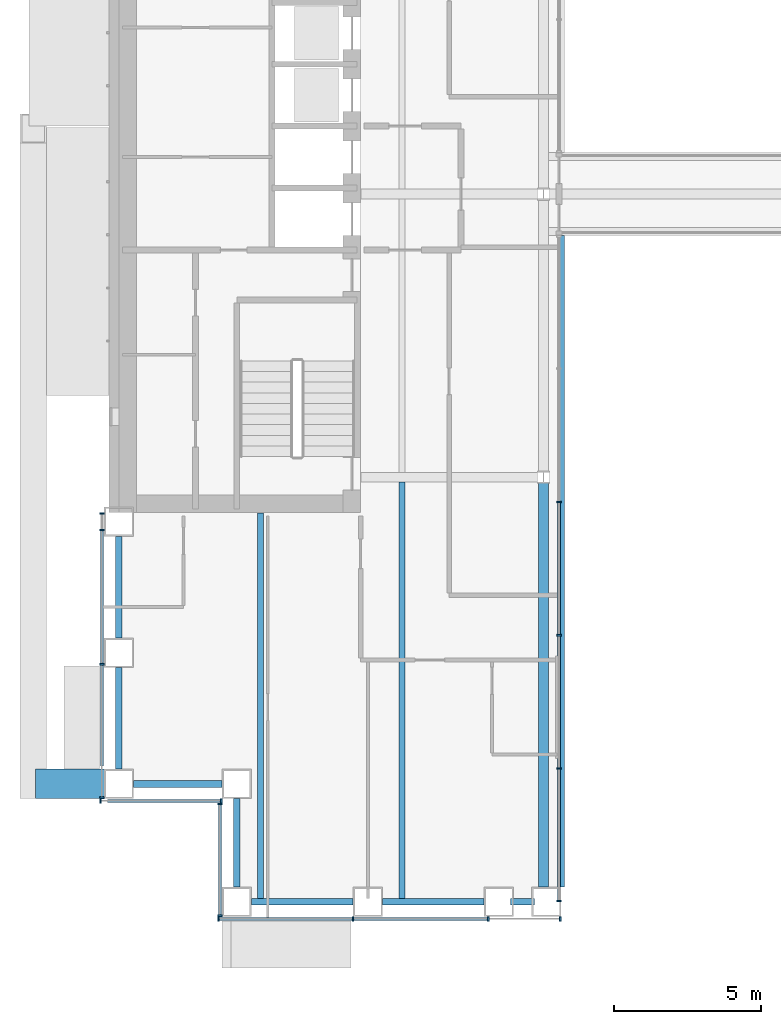
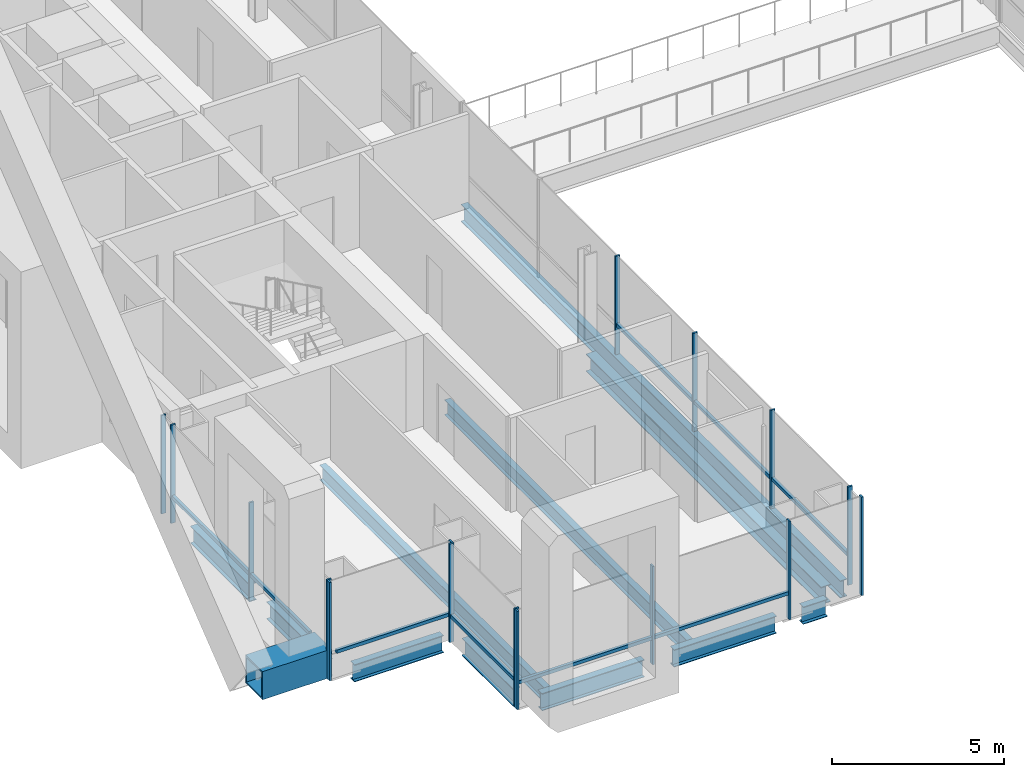
# One storey, part 2 of 26: 25 members, 12 beams, 5 elements without a shape of their own.
"""IFC4 building model written with IfcOpenShell, lengths in metres."""

from ifc_helpers import new_model, si_unit, direction, frame, origin, origin_2d, place, context, subcontext, project, spatial, rectangle, hollow_rectangle, i_section, extrude, material, material_profile, profile_set, type_object, element, aggregate, save


model = new_model("IFC4")

# Units and contexts
model_context = context("Model", 3, precision=1e-05, world=origin(), true_north=direction((0.0, 1.0)))
body_context = subcontext(model_context, "Body", "Model", "MODEL_VIEW")
ifc_project = project(units=[si_unit("LENGTHUNIT", "METRE"), si_unit("AREAUNIT", "SQUARE_METRE"), si_unit("VOLUMEUNIT", "CUBIC_METRE"), si_unit("PLANEANGLEUNIT", "RADIAN"), si_unit("MASSUNIT", "GRAM", prefix="KILO")], contexts=[model_context])

# Site, building, storey
site_placement = place(None, origin())
site = spatial("IfcSite", under=ifc_project, at=site_placement, CompositionType="ELEMENT")
building_placement = place(site_placement, origin())
building = spatial("IfcBuilding", under=site, at=building_placement, Name="Cobrizo Arcos Hotel Tower", CompositionType="ELEMENT")
storey_placement = place(building_placement, frame((0.0, 0.0, 67.0)))
storey = spatial("IfcBuildingStorey", under=building, at=storey_placement, Name="L15", CompositionType="ELEMENT", Elevation=67.0)

# Beam
ifc_material_1 = material(Name="Steel ASTM A572 Grade 50", Category="steel")
ifc_material_profile_1 = material_profile(ifc_material_1, hollow_rectangle(XDim=1.0, YDim=1.0, WallThickness=0.06005859375, at=origin_2d()), Name="BOX 1000X1000X60")
ifc_profile_set_1 = profile_set([ifc_material_profile_1], Name="Steel ASTM A572 Grade 50")
beam_type_1 = type_object("IfcBeamType", Name="BOX 1000X1000X60 brace connector strut", PredefinedType="BEAM", material=ifc_profile_set_1)
beam_1_placement = place(storey_placement, frame((-24.489990234375, -20.0, 0.5), z_axis=(-1.0, 0.0, 0.0), x_axis=(0.0, -1.0, 0.0)))
element("IfcBeam", 1, at=beam_1_placement, inside=storey, type_object=beam_type_1, Name="Perimeter brace stub BS1, zone Z1, west face, offset -20.00 m, L15", PredefinedType="BEAM", context=body_context, shape_type="SweptSolid", body=[
    extrude(hollow_rectangle(XDim=1.0, YDim=1.0, WallThickness=0.06005859375, at=origin_2d()), origin(), (0.0, 0.0, 1.0), 2.330078125),
])

# Curtain wall, members
ifc_material_2 = material(Name="Aluminium 6063-T6 anodised bronze", Category="aluminium")
curtain_wall_type_1 = type_object("IfcCurtainWallType", Name="CW-A guest facade", PredefinedType="NOTDEFINED", material=ifc_material_2)
curtain_wall_1_placement = place(storey_placement, origin())
curtain_wall_1 = element("IfcCurtainWall", 2, at=curtain_wall_1_placement, inside=storey, type_object=curtain_wall_type_1, Name="CW-A L15 S face", PredefinedType="NOTDEFINED")
ifc_material_profile_2 = material_profile(ifc_material_2, rectangle(XDim=0.14990234375, YDim=0.06005859375, at=origin_2d()), Name="CW-A mullion 150x60")
ifc_profile_set_2 = profile_set([ifc_material_profile_2], Name="Aluminium 6063-T6 anodised bronze")
member_type_1 = type_object("IfcMemberType", Name="CW-A mullion 150x60", PredefinedType="MULLION", material=ifc_profile_set_2)
member_1_placement = place(storey_placement, frame((-20.6201171875, -24.574951171875, 0.0), z_axis=(0.0, 0.0, 1.0), x_axis=(0.0, -1.0, 0.0)))
member_1 = element("IfcMember", 3, at=member_1_placement, type_object=member_type_1, Name="CW-A mullion 1", PredefinedType="MULLION", context=body_context, shape_type="SweptSolid", body=[
    extrude(rectangle(XDim=0.14990234375, YDim=0.06005859375, at=origin_2d()), origin(), (0.0, 0.0, 1.0), 3.5),
])
member_2_placement = place(storey_placement, frame((-16.06103515625, -24.574951171875, 0.0), z_axis=(0.0, 0.0, 1.0), x_axis=(0.0, -1.0, 0.0)))
member_2 = element("IfcMember", 4, at=member_2_placement, type_object=member_type_1, Name="CW-A mullion 2", PredefinedType="MULLION", context=body_context, shape_type="SweptSolid", body=[
    extrude(rectangle(XDim=0.14990234375, YDim=0.06005859375, at=origin_2d()), origin(), (0.0, 0.0, 1.0), 3.5),
])
member_3_placement = place(storey_placement, frame((-11.47216796875, -24.574951171875, 0.0), z_axis=(0.0, 0.0, 1.0), x_axis=(0.0, -1.0, 0.0)))
member_3 = element("IfcMember", 5, at=member_3_placement, type_object=member_type_1, Name="CW-A mullion 3", PredefinedType="MULLION", context=body_context, shape_type="SweptSolid", body=[
    extrude(rectangle(XDim=0.14990234375, YDim=0.06005859375, at=origin_2d()), origin(), (0.0, 0.0, 1.0), 3.5),
])
member_4_placement = place(storey_placement, frame((-9.030029296875, -24.574951171875, 0.0), z_axis=(0.0, 0.0, 1.0), x_axis=(0.0, -1.0, 0.0)))
member_4 = element("IfcMember", 6, at=member_4_placement, type_object=member_type_1, Name="CW-A mullion 4", PredefinedType="MULLION", context=body_context, shape_type="SweptSolid", body=[
    extrude(rectangle(XDim=0.14990234375, YDim=0.06005859375, at=origin_2d()), origin(), (0.0, 0.0, 1.0), 3.5),
])

curtain_wall_2_placement = place(storey_placement, origin())
curtain_wall_2 = element("IfcCurtainWall", 7, at=curtain_wall_2_placement, inside=storey, type_object=curtain_wall_type_1, Name="CW-A L15 W face", PredefinedType="NOTDEFINED")
member_5_placement = place(storey_placement, frame((-24.574951171875, -10.830078125, 0.0), z_axis=(0.0, 0.0, 1.0), x_axis=(-1.0, 0.0, 0.0)))
member_5 = element("IfcMember", 8, at=member_5_placement, type_object=member_type_1, Name="CW-A mullion 1", PredefinedType="MULLION", context=body_context, shape_type="SweptSolid", body=[
    extrude(rectangle(XDim=0.14990234375, YDim=0.06005859375, at=origin_2d()), origin(), (0.0, 0.0, 1.0), 3.5),
])
member_6_placement = place(storey_placement, frame((-24.574951171875, -11.388916015625, 0.0), z_axis=(0.0, 0.0, 1.0), x_axis=(-1.0, 0.0, 0.0)))
member_6 = element("IfcMember", 9, at=member_6_placement, type_object=member_type_1, Name="CW-A mullion 2", PredefinedType="MULLION", context=body_context, shape_type="SweptSolid", body=[
    extrude(rectangle(XDim=0.14990234375, YDim=0.06005859375, at=origin_2d()), origin(), (0.0, 0.0, 1.0), 3.5),
])
member_7_placement = place(storey_placement, frame((-24.574951171875, -15.9443359375, 0.0), z_axis=(0.0, 0.0, 1.0), x_axis=(-1.0, 0.0, 0.0)))
member_7 = element("IfcMember", 10, at=member_7_placement, type_object=member_type_1, Name="CW-A mullion 3", PredefinedType="MULLION", context=body_context, shape_type="SweptSolid", body=[
    extrude(rectangle(XDim=0.14990234375, YDim=0.06005859375, at=origin_2d()), origin(), (0.0, 0.0, 1.0), 3.5),
])
member_8_placement = place(storey_placement, frame((-24.574951171875, -20.469970703125, 0.0), z_axis=(0.0, 0.0, 1.0), x_axis=(-1.0, 0.0, 0.0)))
member_8 = element("IfcMember", 11, at=member_8_placement, type_object=member_type_1, Name="CW-A mullion 4", PredefinedType="MULLION", context=body_context, shape_type="SweptSolid", body=[
    extrude(rectangle(XDim=0.14990234375, YDim=0.06005859375, at=origin_2d()), origin(), (0.0, 0.0, 1.0), 3.5),
])

curtain_wall_3_placement = place(storey_placement, origin())
curtain_wall_3 = element("IfcCurtainWall", 12, at=curtain_wall_3_placement, inside=storey, type_object=curtain_wall_type_1, Name="CW-A L15 S face", PredefinedType="NOTDEFINED")
member_9_placement = place(storey_placement, frame((-24.6201171875, -20.574951171875, 0.0), z_axis=(0.0, 0.0, 1.0), x_axis=(0.0, -1.0, 0.0)))
member_9 = element("IfcMember", 13, at=member_9_placement, type_object=member_type_1, Name="CW-A mullion 1", PredefinedType="MULLION", context=body_context, shape_type="SweptSolid", body=[
    extrude(rectangle(XDim=0.14990234375, YDim=0.06005859375, at=origin_2d()), origin(), (0.0, 0.0, 1.0), 3.5),
])
member_10_placement = place(storey_placement, frame((-20.530029296875, -20.574951171875, 0.0), z_axis=(0.0, 0.0, 1.0), x_axis=(0.0, -1.0, 0.0)))
member_10 = element("IfcMember", 14, at=member_10_placement, type_object=member_type_1, Name="CW-A mullion 2", PredefinedType="MULLION", context=body_context, shape_type="SweptSolid", body=[
    extrude(rectangle(XDim=0.14990234375, YDim=0.06005859375, at=origin_2d()), origin(), (0.0, 0.0, 1.0), 3.5),
])

curtain_wall_4_placement = place(storey_placement, origin())
curtain_wall_4 = element("IfcCurtainWall", 15, at=curtain_wall_4_placement, inside=storey, type_object=curtain_wall_type_1, Name="CW-A L15 W face", PredefinedType="NOTDEFINED")
member_11_placement = place(storey_placement, frame((-20.574951171875, -20.679931640625, 0.0), z_axis=(0.0, 0.0, 1.0), x_axis=(-1.0, 0.0, 0.0)))
member_11 = element("IfcMember", 16, at=member_11_placement, type_object=member_type_1, Name="CW-A mullion 1", PredefinedType="MULLION", context=body_context, shape_type="SweptSolid", body=[
    extrude(rectangle(XDim=0.14990234375, YDim=0.06005859375, at=origin_2d()), origin(), (0.0, 0.0, 1.0), 3.5),
])
member_12_placement = place(storey_placement, frame((-20.574951171875, -24.469970703125, 0.0), z_axis=(0.0, 0.0, 1.0), x_axis=(-1.0, 0.0, 0.0)))
member_12 = element("IfcMember", 17, at=member_12_placement, type_object=member_type_1, Name="CW-A mullion 2", PredefinedType="MULLION", context=body_context, shape_type="SweptSolid", body=[
    extrude(rectangle(XDim=0.14990234375, YDim=0.06005859375, at=origin_2d()), origin(), (0.0, 0.0, 1.0), 3.5),
])

# Member
ifc_material_profile_3 = material_profile(ifc_material_2, rectangle(XDim=0.10009765625, YDim=0.1201171875, at=origin_2d()), Name="CW-A transom 120x100")
ifc_profile_set_3 = profile_set([ifc_material_profile_3], Name="Aluminium 6063-T6 anodised bronze")
member_type_2 = type_object("IfcMemberType", Name="CW-A transom 120x100", PredefinedType="USERDEFINED", material=ifc_profile_set_3)
member_13_placement = place(storey_placement, frame((-20.590087890625, -24.574951171875, 0.929931640625), z_axis=(1.0, 0.0, 0.0), x_axis=(0.0, 1.0, 0.0)))
member_13 = element("IfcMember", 18, at=member_13_placement, type_object=member_type_2, Name="CW-A transom 653", ObjectType="TRANSOM", PredefinedType="USERDEFINED", context=body_context, shape_type="SweptSolid", body=[
    extrude(rectangle(XDim=0.10009765625, YDim=0.1201171875, at=origin_2d()), origin(), (0.0, 0.0, 1.0), 4.4990234375),
])

member_14_placement = place(storey_placement, frame((-16.031005859375, -24.574951171875, 0.929931640625), z_axis=(1.0, 0.0, 0.0), x_axis=(0.0, 1.0, 0.0)))
member_14 = element("IfcMember", 19, at=member_14_placement, type_object=member_type_2, Name="CW-A transom 654", ObjectType="TRANSOM", PredefinedType="USERDEFINED", context=body_context, shape_type="SweptSolid", body=[
    extrude(rectangle(XDim=0.10009765625, YDim=0.1201171875, at=origin_2d()), origin(), (0.0, 0.0, 1.0), 4.52880859375),
])

aggregate(curtain_wall_1, [member_1, member_2, member_3, member_4, member_13, member_14])

member_15_placement = place(storey_placement, frame((-24.574951171875, -11.4189453125, 0.929931640625), z_axis=(0.0, -1.0, 0.0), x_axis=(1.0, 0.0, 0.0)))
member_15 = element("IfcMember", 20, at=member_15_placement, type_object=member_type_2, Name="CW-A transom 681", ObjectType="TRANSOM", PredefinedType="USERDEFINED", context=body_context, shape_type="SweptSolid", body=[
    extrude(rectangle(XDim=0.10009765625, YDim=0.1201171875, at=origin_2d()), origin(), (0.0, 0.0, 1.0), 4.49560546875),
])

member_16_placement = place(storey_placement, frame((-24.574951171875, -15.974365234375, 0.929931640625), z_axis=(0.0, -1.0, 0.0), x_axis=(1.0, 0.0, 0.0)))
member_16 = element("IfcMember", 21, at=member_16_placement, type_object=member_type_2, Name="CW-A transom 682", ObjectType="TRANSOM", PredefinedType="USERDEFINED", context=body_context, shape_type="SweptSolid", body=[
    extrude(rectangle(XDim=0.10009765625, YDim=0.1201171875, at=origin_2d()), origin(), (0.0, 0.0, 1.0), 3.425537109375),
])

aggregate(curtain_wall_2, [member_5, member_6, member_7, member_8, member_15, member_16])

member_17_placement = place(storey_placement, frame((-24.389892578125, -20.574951171875, 0.929931640625), z_axis=(1.0, 0.0, 0.0), x_axis=(0.0, 1.0, 0.0)))
member_17 = element("IfcMember", 22, at=member_17_placement, type_object=member_type_2, Name="CW-A transom 683", ObjectType="TRANSOM", PredefinedType="USERDEFINED", context=body_context, shape_type="SweptSolid", body=[
    extrude(rectangle(XDim=0.10009765625, YDim=0.1201171875, at=origin_2d()), origin(), (0.0, 0.0, 1.0), 3.829833984375),
])

aggregate(curtain_wall_3, [member_9, member_10, member_17])

member_18_placement = place(storey_placement, frame((-20.574951171875, -20.7099609375, 0.929931640625), z_axis=(0.0, -1.0, 0.0), x_axis=(1.0, 0.0, 0.0)))
member_18 = element("IfcMember", 23, at=member_18_placement, type_object=member_type_2, Name="CW-A transom 684", ObjectType="TRANSOM", PredefinedType="USERDEFINED", context=body_context, shape_type="SweptSolid", body=[
    extrude(rectangle(XDim=0.10009765625, YDim=0.1201171875, at=origin_2d()), origin(), (0.0, 0.0, 1.0), 3.72998046875),
])

aggregate(curtain_wall_4, [member_11, member_12, member_18])

# Curtain wall, members
curtain_wall_type_2 = type_object("IfcCurtainWallType", Name="CW-F void screen", PredefinedType="NOTDEFINED", material=ifc_material_2)
curtain_wall_5_placement = place(storey_placement, origin())
curtain_wall_5 = element("IfcCurtainWall", 24, at=curtain_wall_5_placement, inside=storey, type_object=curtain_wall_type_2, Name="CW-F L15 void screen A", PredefinedType="NOTDEFINED")
ifc_material_profile_4 = material_profile(ifc_material_2, rectangle(XDim=0.14990234375, YDim=0.06005859375, at=origin_2d()), Name="CW-F mullion 150x60")
ifc_profile_set_4 = profile_set([ifc_material_profile_4], Name="Aluminium 6063-T6 anodised bronze")
member_type_3 = type_object("IfcMemberType", Name="CW-F mullion 150x60", PredefinedType="MULLION", material=ifc_profile_set_4)
member_19_placement = place(storey_placement, frame((-9.074951171875, -10.43994140625, 0.0), z_axis=(0.0, 0.0, 1.0), x_axis=(-1.0, 0.0, 0.0)))
member_19 = element("IfcMember", 25, at=member_19_placement, type_object=member_type_3, Name="CW-F mullion 3", PredefinedType="MULLION", context=body_context, shape_type="SweptSolid", body=[
    extrude(rectangle(XDim=0.14990234375, YDim=0.06005859375, at=origin_2d()), origin(), (0.0, 0.0, 1.0), 3.5),
])
member_20_placement = place(storey_placement, frame((-9.074951171875, -14.9599609375, 0.0), z_axis=(0.0, 0.0, 1.0), x_axis=(-1.0, 0.0, 0.0)))
member_20 = element("IfcMember", 26, at=member_20_placement, type_object=member_type_3, Name="CW-F mullion 4", PredefinedType="MULLION", context=body_context, shape_type="SweptSolid", body=[
    extrude(rectangle(XDim=0.14990234375, YDim=0.06005859375, at=origin_2d()), origin(), (0.0, 0.0, 1.0), 3.5),
])
member_21_placement = place(storey_placement, frame((-9.074951171875, -19.47998046875, 0.0), z_axis=(0.0, 0.0, 1.0), x_axis=(-1.0, 0.0, 0.0)))
member_21 = element("IfcMember", 27, at=member_21_placement, type_object=member_type_3, Name="CW-F mullion 5", PredefinedType="MULLION", context=body_context, shape_type="SweptSolid", body=[
    extrude(rectangle(XDim=0.14990234375, YDim=0.06005859375, at=origin_2d()), origin(), (0.0, 0.0, 1.0), 3.5),
])
member_22_placement = place(storey_placement, frame((-9.074951171875, -23.969970703125, 0.0), z_axis=(0.0, 0.0, 1.0), x_axis=(-1.0, 0.0, 0.0)))
member_22 = element("IfcMember", 28, at=member_22_placement, type_object=member_type_3, Name="CW-F mullion 6", PredefinedType="MULLION", context=body_context, shape_type="SweptSolid", body=[
    extrude(rectangle(XDim=0.14990234375, YDim=0.06005859375, at=origin_2d()), origin(), (0.0, 0.0, 1.0), 3.5),
])
ifc_material_profile_5 = material_profile(ifc_material_2, rectangle(XDim=0.10009765625, YDim=0.1201171875, at=origin_2d()), Name="CW-F transom 120x100")
ifc_profile_set_5 = profile_set([ifc_material_profile_5], Name="Aluminium 6063-T6 anodised bronze")
member_type_4 = type_object("IfcMemberType", Name="CW-F transom 120x100", PredefinedType="USERDEFINED", material=ifc_profile_set_5)
member_23_placement = place(storey_placement, frame((-9.074951171875, -10.469970703125, 1.050048828125), z_axis=(0.0, -1.0, 0.0), x_axis=(1.0, 0.0, 0.0)))
member_23 = element("IfcMember", 29, at=member_23_placement, type_object=member_type_4, Name="CW-F transom 2485", ObjectType="TRANSOM", PredefinedType="USERDEFINED", context=body_context, shape_type="SweptSolid", body=[
    extrude(rectangle(XDim=0.10009765625, YDim=0.1201171875, at=origin_2d()), origin(), (0.0, 0.0, 1.0), 4.4599609375),
])
member_24_placement = place(storey_placement, frame((-9.074951171875, -14.989990234375, 1.050048828125), z_axis=(0.0, -1.0, 0.0), x_axis=(1.0, 0.0, 0.0)))
member_24 = element("IfcMember", 30, at=member_24_placement, type_object=member_type_4, Name="CW-F transom 2486", ObjectType="TRANSOM", PredefinedType="USERDEFINED", context=body_context, shape_type="SweptSolid", body=[
    extrude(rectangle(XDim=0.10009765625, YDim=0.1201171875, at=origin_2d()), origin(), (0.0, 0.0, 1.0), 4.4599609375),
])
member_25_placement = place(storey_placement, frame((-9.074951171875, -19.510009765625, 1.050048828125), z_axis=(0.0, -1.0, 0.0), x_axis=(1.0, 0.0, 0.0)))
member_25 = element("IfcMember", 31, at=member_25_placement, type_object=member_type_4, Name="CW-F transom 2487", ObjectType="TRANSOM", PredefinedType="USERDEFINED", context=body_context, shape_type="SweptSolid", body=[
    extrude(rectangle(XDim=0.10009765625, YDim=0.1201171875, at=origin_2d()), origin(), (0.0, 0.0, 1.0), 4.429931640625),
])
aggregate(curtain_wall_5, [member_19, member_20, member_21, member_22, member_23, member_24, member_25])

# Beams
ifc_material_3 = material(Name="Steel ASTM A992 Grade 50", Category="steel")
ifc_material_profile_6 = material_profile(ifc_material_3, i_section(OverallWidth=0.209228515625, OverallDepth=0.533447265625, WebThickness=0.01025390625, FlangeThickness=0.015625, at=origin_2d()), Name="W21X62")
ifc_profile_set_6 = profile_set([ifc_material_profile_6], Name="Steel ASTM A992 Grade 50")
beam_type_2 = type_object("IfcBeamType", Name="W21X62 joist", PredefinedType="JOIST", material=ifc_profile_set_6)
beam_2_placement = place(storey_placement, frame((-19.199951171875, -23.909912109375, -0.416748046875), z_axis=(0.0, 1.0, 0.0), x_axis=(-1.0, 0.0, 0.0)))
element("IfcBeam", 32, at=beam_2_placement, inside=storey, type_object=beam_type_2, Name="Floor joist J1, L15, no. 001", PredefinedType="JOIST", context=body_context, shape_type="SweptSolid", body=[
    extrude(i_section(OverallWidth=0.209228515625, OverallDepth=0.533447265625, WebThickness=0.01025390625, FlangeThickness=0.015625, at=origin_2d()), origin(), (0.0, 0.0, 1.0), 13.099853515625),
])
beam_3_placement = place(storey_placement, frame((-14.39990234375, -23.909912109375, -0.416748046875), z_axis=(0.0, 1.0, 0.0), x_axis=(-1.0, 0.0, 0.0)))
element("IfcBeam", 33, at=beam_3_placement, inside=storey, type_object=beam_type_2, Name="Floor joist J1, L15, no. 003", PredefinedType="JOIST", context=body_context, shape_type="SweptSolid", body=[
    extrude(i_section(OverallWidth=0.209228515625, OverallDepth=0.533447265625, WebThickness=0.01025390625, FlangeThickness=0.015625, at=origin_2d()), origin(), (0.0, 0.0, 1.0), 14.14599609375),
])
ifc_material_profile_7 = material_profile(ifc_material_3, i_section(OverallWidth=0.32763671875, OverallDepth=0.622314453125, WebThickness=0.015380859375, FlangeThickness=0.0244140625, at=origin_2d()), Name="W24X131")
ifc_profile_set_7 = profile_set([ifc_material_profile_7], Name="Steel ASTM A992 Grade 50")
beam_type_3 = type_object("IfcBeamType", Name="W24X131 girder", PredefinedType="BEAM", material=ifc_profile_set_7)
beam_4_placement = place(storey_placement, frame((-9.60009765625, -23.5, -0.461181640625), z_axis=(0.0, 1.0, 0.0), x_axis=(-1.0, 0.0, 0.0)))
element("IfcBeam", 34, at=beam_4_placement, inside=storey, type_object=beam_type_3, Name="Floor girder G1, L15, no. 008", PredefinedType="BEAM", context=body_context, shape_type="SweptSolid", body=[
    extrude(i_section(OverallWidth=0.32763671875, OverallDepth=0.622314453125, WebThickness=0.015380859375, FlangeThickness=0.0244140625, at=origin_2d()), origin(), (0.0, 0.0, 1.0), 13.695556640625),
])
ifc_material_profile_8 = material_profile(ifc_material_3, i_section(OverallWidth=0.23046875, OverallDepth=0.6171875, WebThickness=0.01318359375, FlangeThickness=0.022216796875, at=origin_2d()), Name="W24X94")
ifc_profile_set_8 = profile_set([ifc_material_profile_8], Name="Steel ASTM A992 Grade 50")
beam_type_4 = type_object("IfcBeamType", Name="W24X94 spandrel", PredefinedType="SPANDREL", material=ifc_profile_set_8)
beam_5_placement = place(storey_placement, frame((-9.0, -1.39990234375, -0.45849609375), z_axis=(0.0, -1.0, 0.0), x_axis=(1.0, 0.0, 0.0)))
element("IfcBeam", 35, at=beam_5_placement, inside=storey, type_object=beam_type_4, Name="Spandrel beam W24X94, L15, no. 012", PredefinedType="SPANDREL", context=body_context, shape_type="SweptSolid", body=[
    extrude(i_section(OverallWidth=0.23046875, OverallDepth=0.6171875, WebThickness=0.01318359375, FlangeThickness=0.022216796875, at=origin_2d()), origin(), (0.0, 0.0, 1.0), 22.10009765625),
])
beam_6_placement = place(storey_placement, frame((-9.89990234375, -24.0, -0.45849609375), z_axis=(-1.0, 0.0, 0.0), x_axis=(0.0, -1.0, 0.0)))
element("IfcBeam", 36, at=beam_6_placement, inside=storey, type_object=beam_type_4, Name="Spandrel beam W24X94, L15, no. 013", PredefinedType="SPANDREL", context=body_context, shape_type="SweptSolid", body=[
    extrude(i_section(OverallWidth=0.23046875, OverallDepth=0.6171875, WebThickness=0.01318359375, FlangeThickness=0.022216796875, at=origin_2d()), origin(), (0.0, 0.0, 1.0), 0.81103515625),
])
beam_7_placement = place(storey_placement, frame((-11.611083984375, -24.0, -0.45849609375), z_axis=(-1.0, 0.0, 0.0), x_axis=(0.0, -1.0, 0.0)))
element("IfcBeam", 37, at=beam_7_placement, inside=storey, type_object=beam_type_4, Name="Spandrel beam W24X94, L15, no. 014", PredefinedType="SPANDREL", context=body_context, shape_type="SweptSolid", body=[
    extrude(i_section(OverallWidth=0.23046875, OverallDepth=0.6171875, WebThickness=0.01318359375, FlangeThickness=0.022216796875, at=origin_2d()), origin(), (0.0, 0.0, 1.0), 3.44482421875),
])
beam_8_placement = place(storey_placement, frame((-16.055908203125, -24.0, -0.45849609375), z_axis=(-1.0, 0.0, 0.0), x_axis=(0.0, -1.0, 0.0)))
element("IfcBeam", 38, at=beam_8_placement, inside=storey, type_object=beam_type_4, Name="Spandrel beam W24X94, L15, no. 015", PredefinedType="SPANDREL", context=body_context, shape_type="SweptSolid", body=[
    extrude(i_section(OverallWidth=0.23046875, OverallDepth=0.6171875, WebThickness=0.01318359375, FlangeThickness=0.022216796875, at=origin_2d()), origin(), (0.0, 0.0, 1.0), 3.444091796875),
])
for number, where, z_axis, x_axis, name in (
    (39, (-20.0, -23.5, -0.45849609375), (0.0, 1.0, 0.0), (-1.0, 0.0, 0.0), "Spandrel beam W24X94, L15, no. 016"),
    (40, (-20.5, -20.0, -0.45849609375), (-1.0, 0.0, 0.0), (0.0, -1.0, 0.0), "Spandrel beam W24X94, L15, no. 017"),
):
    element("IfcBeam", number, at=place(storey_placement, frame(where, z_axis=z_axis, x_axis=x_axis)), inside=storey, type_object=beam_type_4, Name=name, PredefinedType="SPANDREL", context=body_context, shape_type="SweptSolid", body=[
        extrude(i_section(OverallWidth=0.23046875, OverallDepth=0.6171875, WebThickness=0.01318359375, FlangeThickness=0.022216796875, at=origin_2d()), origin(), (0.0, 0.0, 1.0), 3.0),
    ])
beam_9_placement = place(storey_placement, frame((-24.0, -19.5, -0.45849609375), z_axis=(0.0, 1.0, 0.0), x_axis=(-1.0, 0.0, 0.0)))
element("IfcBeam", 41, at=beam_9_placement, inside=storey, type_object=beam_type_4, Name="Spandrel beam W24X94, L15, no. 018", PredefinedType="SPANDREL", context=body_context, shape_type="SweptSolid", body=[
    extrude(i_section(OverallWidth=0.23046875, OverallDepth=0.6171875, WebThickness=0.01318359375, FlangeThickness=0.022216796875, at=origin_2d()), origin(), (0.0, 0.0, 1.0), 3.444091796875),
])
beam_10_placement = place(storey_placement, frame((-24.0, -15.055908203125, -0.45849609375), z_axis=(0.0, 1.0, 0.0), x_axis=(-1.0, 0.0, 0.0)))
element("IfcBeam", 42, at=beam_10_placement, inside=storey, type_object=beam_type_4, Name="Spandrel beam W24X94, L15, no. 019", PredefinedType="SPANDREL", context=body_context, shape_type="SweptSolid", body=[
    extrude(i_section(OverallWidth=0.23046875, OverallDepth=0.6171875, WebThickness=0.01318359375, FlangeThickness=0.022216796875, at=origin_2d()), origin(), (0.0, 0.0, 1.0), 3.44482421875),
])

save(model, "model.ifc")
